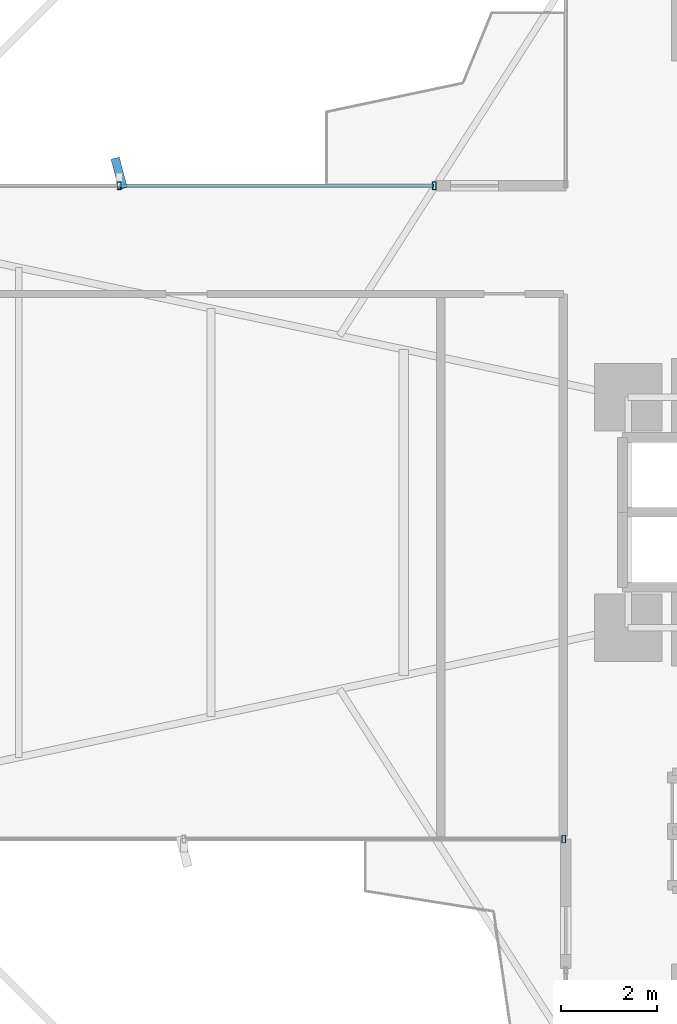
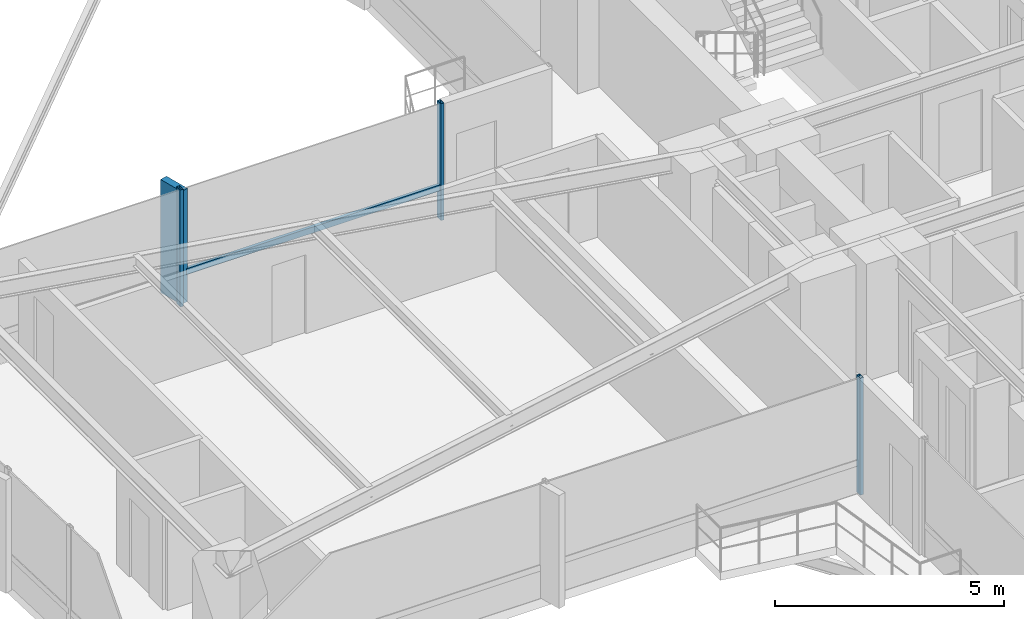
# One storey, part 10 of 26: 5 members, 2 elements without a shape of their own.
"""IFC4 building model written with IfcOpenShell, lengths in metres."""

import ifcopenshell
import ifcopenshell.guid

model = None  # the IFC model being written
_history = None  # IfcOwnerHistory: only IFC2X3 demands one
_inside = {}  # id of a spatial element -> (the spatial element, [elements in it])
_under = {}  # id of a project, library or spatial element -> (it, [spatial elements below it])
_declared = {}  # id of a project -> (the project, [libraries it declares])
_typed = {}  # id of a type object -> (the type object, [elements of that type])
_made_of = {}  # id of a material, layer set ... -> (it, [elements and type objects made of it])


def new_model(schema):
    """Start an empty IFC model of exactly this schema.

    Asked for "IFC4X3", IfcOpenShell would pick the latest addendum, in which some entities
    have other attributes; the version numbers below select the first issue.
    IFC2X3 requires an IfcOwnerHistory on every rooted entity: one is made here for all.
    """
    global model, _history
    if schema == "IFC4X3":
        model = ifcopenshell.file(schema_version=(4, 3, 0, 0))
    else:
        model = ifcopenshell.file(schema=schema)
    _inside.clear()
    _under.clear()
    _declared.clear()
    _typed.clear()
    _made_of.clear()
    _history = None
    if model.schema == "IFC2X3":
        org = make("IfcOrganization", Name="unknown")
        user = make(
            "IfcPersonAndOrganization",
            ThePerson=make("IfcPerson", FamilyName="unknown"),
            TheOrganization=org,
        )
        app = make(
            "IfcApplication",
            ApplicationDeveloper=org,
            Version="unknown",
            ApplicationFullName="unknown",
            ApplicationIdentifier="unknown",
        )
        _history = make(
            "IfcOwnerHistory",
            OwningUser=user,
            OwningApplication=app,
            ChangeAction="ADDED",
            CreationDate=0,
        )
    return model


def make(cls, **values):
    """One entity of the class cls with the attributes given. An attribute that is None is left unset."""
    return model.create_entity(
        cls, **{name: value for name, value in values.items() if value is not None}
    )


def rooted(cls, **values):
    """An entity with a GlobalId (a new one), such as an element, a storey or a relation."""
    return make(cls, GlobalId=ifcopenshell.guid.new(), OwnerHistory=_history, **values)


def si_unit(unit_type, name, prefix=None):
    """IfcSIUnit, for example si_unit("LENGTHUNIT", "METRE", prefix="MILLI")."""
    return make("IfcSIUnit", UnitType=unit_type, Prefix=prefix, Name=name)


def assignment(units):
    """IfcUnitAssignment: the units of a project."""
    return None if units is None else make("IfcUnitAssignment", Units=units)


def point(xyz):
    """IfcCartesianPoint."""
    return None if xyz is None else make("IfcCartesianPoint", Coordinates=xyz)


def direction(xyz):
    """IfcDirection."""
    return None if xyz is None else make("IfcDirection", DirectionRatios=xyz)


def frame(location, z_axis=None, x_axis=None):
    """IfcAxis2Placement3D, a coordinate frame: its origin and axes. An axis left out is left unset."""
    return make(
        "IfcAxis2Placement3D",
        Location=point(location),
        Axis=direction(z_axis),
        RefDirection=direction(x_axis),
    )


def frame_2d(location, x_axis=None):
    """IfcAxis2Placement2D, a coordinate frame in the plane: its origin and x axis."""
    return make(
        "IfcAxis2Placement2D", Location=point(location), RefDirection=direction(x_axis)
    )


def origin():
    """The frame at (0, 0, 0) with its axes left unset."""
    return frame((0.0, 0.0, 0.0))


def origin_2d():
    """The frame at (0, 0) in the plane with its x axis left unset."""
    return frame_2d((0.0, 0.0))


def place(relative_to, where):
    """IfcLocalPlacement: puts the frame where relative to a parent placement (None: the world)."""
    return make(
        "IfcLocalPlacement", PlacementRelTo=relative_to, RelativePlacement=where
    )


def context(
    kind, dimensions, precision=None, world=None, true_north=None, identifier=None
):
    """IfcGeometricRepresentationContext, for example the 3D "Model" context."""
    return make(
        "IfcGeometricRepresentationContext",
        ContextIdentifier=identifier,
        ContextType=kind,
        CoordinateSpaceDimension=dimensions,
        Precision=precision,
        WorldCoordinateSystem=world,
        TrueNorth=true_north,
    )


def subcontext(parent, identifier, kind, view, scale=None):
    """IfcGeometricRepresentationSubContext, for example "Body" below "Model"."""
    return make(
        "IfcGeometricRepresentationSubContext",
        ContextIdentifier=identifier,
        ContextType=kind,
        ParentContext=parent,
        TargetScale=scale,
        TargetView=view,
    )


def project(units=None, contexts=None):
    """IfcProject with its units and contexts."""
    return rooted(
        "IfcProject",
        Name="project",
        RepresentationContexts=contexts,
        UnitsInContext=assignment(units),
    )


def spatial(cls, under=None, at=None, **own):
    """A site, building, storey or space (cls), placed at a placement, below another one or the project."""
    s = rooted(cls, ObjectPlacement=at, **own)
    if under is not None:
        _under.setdefault(under.id(), (under, []))[1].append(s)
    return s


def profile(cls, at=None, kind="AREA", **sizes):
    """A parametric profile (cls). Its sizes go by their IFC names, for example OverallWidth=200.0."""
    return make(cls, ProfileType=kind, Position=at, **sizes)


def rectangle(**sizes):
    """IfcRectangleProfileDef."""
    return profile("IfcRectangleProfileDef", **sizes)


def hollow_rectangle(**sizes):
    """IfcRectangleHollowProfileDef."""
    return profile("IfcRectangleHollowProfileDef", **sizes)


def extrude(swept, where, along, depth):
    """IfcExtrudedAreaSolid: the profile swept, set in the frame where, extruded along a direction by depth."""
    return make(
        "IfcExtrudedAreaSolid",
        SweptArea=swept,
        Position=where,
        ExtrudedDirection=direction(along),
        Depth=depth,
    )


def shape(context_of_items, identifier, shape_type, items):
    """IfcShapeRepresentation: the items that make up one representation, for example the "Body"."""
    return make(
        "IfcShapeRepresentation",
        ContextOfItems=context_of_items,
        RepresentationIdentifier=identifier,
        RepresentationType=shape_type,
        Items=items,
    )


def source(mapping_origin, context_of_items, identifier, shape_type, items):
    """IfcRepresentationMap: a shape defined once, which mapped items show again and again."""
    return make(
        "IfcRepresentationMap",
        MappingOrigin=mapping_origin,
        MappedRepresentation=shape(context_of_items, identifier, shape_type, items),
    )


def transform(
    local_origin,
    x_axis=None,
    y_axis=None,
    z_axis=None,
    scale=None,
    scale2=None,
    scale3=None,
    uniform=True,
):
    """IfcCartesianTransformationOperator3D, or its non-uniform kind. x_axis, y_axis, z_axis: its Axis1, 2, 3."""
    if uniform:
        return make(
            "IfcCartesianTransformationOperator3D",
            Axis1=direction(x_axis),
            Axis2=direction(y_axis),
            LocalOrigin=point(local_origin),
            Scale=scale,
            Axis3=direction(z_axis),
        )
    return make(
        "IfcCartesianTransformationOperator3DnonUniform",
        Axis1=direction(x_axis),
        Axis2=direction(y_axis),
        LocalOrigin=point(local_origin),
        Scale=scale,
        Axis3=direction(z_axis),
        Scale2=scale2,
        Scale3=scale3,
    )


def mapped(mapping_source, mapping_target):
    """IfcMappedItem: shows the shape of a source again, moved by a transform."""
    return make(
        "IfcMappedItem", MappingSource=mapping_source, MappingTarget=mapping_target
    )


def material(Name=None, Category=None):
    """IfcMaterial."""
    return make("IfcMaterial", Name=Name, Category=Category)


def material_profile(
    of_material, cross_section, Name=None, Category=None, Priority=None
):
    """IfcMaterialProfile: a cross section and its material."""
    return make(
        "IfcMaterialProfile",
        Name=Name,
        Material=of_material,
        Profile=cross_section,
        Priority=Priority,
        Category=Category,
    )


def profile_set(profiles, Name=None, composite=None):
    """IfcMaterialProfileSet."""
    return make(
        "IfcMaterialProfileSet",
        Name=Name,
        MaterialProfiles=profiles,
        CompositeProfile=composite,
    )


def made_of(thing, what):
    """Note that an element or type object is made of a material, layer set ...; save() writes the relation."""
    if what is not None:
        _made_of.setdefault(what.id(), (what, []))[1].append(thing)
    return thing


def type_object(cls, material=None, **own):
    """A type object (cls), such as IfcWallType, which elements share."""
    return made_of(rooted(cls, **own), material)


def element(
    cls,
    number,
    at=None,
    inside=None,
    cuts=None,
    type_object=None,
    material=None,
    context=None,
    identifier="Body",
    shape_type=None,
    held_by="IfcProductDefinitionShape",
    body=None,
    shapes=None,
    **own,
):
    """One element of the class cls, such as IfcWall. Its Tag is "e" and its number.

    at: its placement. inside: the storey or other place that contains it. cuts: it is an
    opening in that element (IfcRelVoidsElement). A single representation is given by context,
    identifier, shape_type and body (its items); several are given by shapes. held_by: the class
    of the entity that holds the representations. save() writes the other relations.
    """
    e = rooted(cls, Tag="e%d" % number, ObjectPlacement=at, **own)
    if body is not None:
        shapes = [shape(context, identifier, shape_type, body)]
    if shapes is not None:
        e.Representation = make(held_by, Representations=shapes)
    if inside is not None:
        _inside.setdefault(inside.id(), (inside, []))[1].append(e)
    if cuts is not None:
        rooted(
            "IfcRelVoidsElement", RelatingBuildingElement=cuts, RelatedOpeningElement=e
        )
    if type_object is not None:
        _typed.setdefault(type_object.id(), (type_object, []))[1].append(e)
    return made_of(e, material)


def aggregate(whole, parts):
    """IfcRelAggregates: a whole, such as a stair, and the parts it consists of."""
    return rooted("IfcRelAggregates", RelatingObject=whole, RelatedObjects=parts)


def save(model, path):
    """Write the relations noted so far, then the file.

    IfcRelAggregates (storeys below a building ...), IfcRelContainedInSpatialStructure (elements
    in a storey), IfcRelDefinesByType, IfcRelAssociatesMaterial and IfcRelDeclares: one each for
    every whole, place, type object, material and project.
    """
    for whole, parts in _under.values():
        aggregate(whole, parts)
    for where, things in _inside.values():
        rooted(
            "IfcRelContainedInSpatialStructure",
            RelatedElements=things,
            RelatingStructure=where,
        )
    for kind, things in _typed.values():
        rooted("IfcRelDefinesByType", RelatedObjects=things, RelatingType=kind)
    for what, things in _made_of.values():
        rooted("IfcRelAssociatesMaterial", RelatedObjects=things, RelatingMaterial=what)
    for by, libraries in _declared.values():
        rooted("IfcRelDeclares", RelatingContext=by, RelatedDefinitions=libraries)
    model.write(path)


model = new_model("IFC4")

# Units and contexts
model_context = context("Model", 3, precision=1e-05, world=origin(), true_north=direction((0.0, 1.0)))
body_context = subcontext(model_context, "Body", "Model", "MODEL_VIEW")
ifc_project = project(units=[si_unit("LENGTHUNIT", "METRE"), si_unit("AREAUNIT", "SQUARE_METRE"), si_unit("VOLUMEUNIT", "CUBIC_METRE"), si_unit("PLANEANGLEUNIT", "RADIAN"), si_unit("MASSUNIT", "GRAM", prefix="KILO")], contexts=[model_context])

# Site, building, storey
site_placement = place(None, origin())
site = spatial("IfcSite", under=ifc_project, at=site_placement, CompositionType="ELEMENT")
building_placement = place(site_placement, origin())
building = spatial("IfcBuilding", under=site, at=building_placement, Name="Sahyath Konkavel Grand Hotel", CompositionType="ELEMENT")
storey_placement = place(building_placement, frame((0.0, 0.0, 61.10009765625)))
storey = spatial("IfcBuildingStorey", under=building, at=storey_placement, Name="L16", CompositionType="ELEMENT", Elevation=61.10009765625)

# Curtain wall, members
ifc_material_1 = material(Name="Anodised Bronze Aluminium & Low-E Glazing", Category="aluminium")
curtain_wall_type = type_object("IfcCurtainWallType", Name="CW-ZONE1", PredefinedType="NOTDEFINED", material=ifc_material_1)
curtain_wall_1_placement = place(storey_placement, origin())
curtain_wall_1 = element("IfcCurtainWall", 1, at=curtain_wall_1_placement, inside=storey, type_object=curtain_wall_type, Name="L16 Unitised Curtain Wall F16", PredefinedType="NOTDEFINED")
ifc_material_2 = material(Name="Anodised Bronze Aluminium", Category="aluminium")
ifc_material_profile_1 = material_profile(ifc_material_2, hollow_rectangle(XDim=0.080078125, YDim=0.159912109375, WallThickness=0.006103515625, at=origin_2d()), Name="RHS 160x80x6")
ifc_profile_set_1 = profile_set([ifc_material_profile_1], Name="Anodised Bronze Aluminium")
member_type_1 = type_object("IfcMemberType", Name="CW-MUL-160", PredefinedType="MULLION", material=ifc_profile_set_1)
shared_shape_1 = source(origin(), body_context, "Body", "SweptSolid", [
    extrude(hollow_rectangle(XDim=0.080078125, YDim=0.159912109375, WallThickness=0.006103515625, at=origin_2d()), origin(), (0.0, 0.0, 1.0), 3.10986328125),
])
member_1_placement = place(storey_placement, frame((-9.5400390625, 6.800048828125, 0.0), z_axis=(0.0, 0.0, 1.0), x_axis=(1.0, 0.0, 0.0)))
member_1 = element("IfcMember", 2, at=member_1_placement, type_object=member_type_1, Name="L16 Curtain Wall Mullion F16-0", PredefinedType="MULLION", context=body_context, shape_type="MappedRepresentation", body=[
    mapped(shared_shape_1, transform((0.0, 0.0, 0.0), scale=1.0)),
])
member_2_placement = place(storey_placement, frame((-16.10009765625, 6.800048828125, 0.0), z_axis=(0.0, 0.0, 1.0), x_axis=(1.0, 0.0, 0.0)))
member_2 = element("IfcMember", 3, at=member_2_placement, type_object=member_type_1, Name="L16 Curtain Wall Mullion F16-1", PredefinedType="MULLION", context=body_context, shape_type="MappedRepresentation", body=[
    mapped(shared_shape_1, transform((0.0, 0.0, 0.0), scale=1.0)),
])

# Curtain wall, member
curtain_wall_2_placement = place(storey_placement, origin())
curtain_wall_2 = element("IfcCurtainWall", 4, at=curtain_wall_2_placement, inside=storey, type_object=curtain_wall_type, Name="L16 Unitised Curtain Wall F23", PredefinedType="NOTDEFINED")
member_3_placement = place(storey_placement, frame((-6.840087890625, -6.800048828125, 0.0), z_axis=(0.0, 0.0, 1.0), x_axis=(1.0, 0.0, 0.0)))
member_3 = element("IfcMember", 5, at=member_3_placement, type_object=member_type_1, Name="L16 Curtain Wall Mullion F23-2", PredefinedType="MULLION", context=body_context, shape_type="MappedRepresentation", body=[
    mapped(shared_shape_1, transform((0.0, 0.0, 0.0), scale=1.0)),
])
aggregate(curtain_wall_2, [member_3])

# Member
ifc_material_3 = material(Name="Warm Buff Sandstone Cladding on Concrete C50/60", Category="masonry")
ifc_material_profile_2 = material_profile(ifc_material_3, rectangle(XDim=0.179931640625, YDim=0.64990234375, at=origin_2d()), Name="FIN 180x650")
ifc_profile_set_2 = profile_set([ifc_material_profile_2], Name="Warm Buff Sandstone Cladding on Concrete C50/60")
member_type_2 = type_object("IfcMemberType", Name="FIN-SANDSTONE-650", PredefinedType="MULLION", material=ifc_profile_set_2)
shared_shape_2 = source(origin(), body_context, "Body", "SweptSolid", [
    extrude(rectangle(XDim=0.179931640625, YDim=0.64990234375, at=origin_2d()), origin(), (0.0, 0.0, 1.0), 3.010009765625),
])
member_4_placement = place(storey_placement, frame((-16.10009765625, 7.06005859375, 0.0498046875), z_axis=(0.0, 0.0, 1.0), x_axis=(0.967134752842, 0.254264369988, 0.0)))
member_4 = element("IfcMember", 6, at=member_4_placement, type_object=member_type_2, Name="L16 Sandstone Vertical Solar Fin FIN F16-1", PredefinedType="MULLION", context=body_context, shape_type="MappedRepresentation", body=[
    mapped(shared_shape_2, transform((0.0, 0.0, 0.0), scale=1.0)),
])

ifc_material_profile_3 = material_profile(ifc_material_2, hollow_rectangle(XDim=0.080078125, YDim=0.159912109375, WallThickness=0.006103515625, at=origin_2d()), Name="RHS 160x80x6")
ifc_profile_set_3 = profile_set([ifc_material_profile_3], Name="Anodised Bronze Aluminium")
member_type_3 = type_object("IfcMemberType", Name="CW-TRN-160", PredefinedType="USERDEFINED", material=ifc_profile_set_3)
shared_shape_3 = source(origin(), body_context, "Body", "SweptSolid", [
    extrude(hollow_rectangle(XDim=0.080078125, YDim=0.159912109375, WallThickness=0.006103515625, at=origin_2d()), origin(), (0.0, 0.0, 1.0), 6.56005859375),
])
member_5_placement = place(storey_placement, frame((-9.5400390625, 6.800048828125, 0.849853515625), z_axis=(-1.0, 0.0, 0.0), x_axis=(0.0, -1.0, 0.0)))
member_5 = element("IfcMember", 7, at=member_5_placement, type_object=member_type_3, Name="L16 Curtain Wall Transom F16-0-spandrel", ObjectType="TRANSOM", PredefinedType="USERDEFINED", context=body_context, shape_type="MappedRepresentation", body=[
    mapped(shared_shape_3, transform((0.0, 0.0, 0.0), scale=1.0)),
])

aggregate(curtain_wall_1, [member_1, member_2, member_4, member_5])

save(model, "model.ifc")
